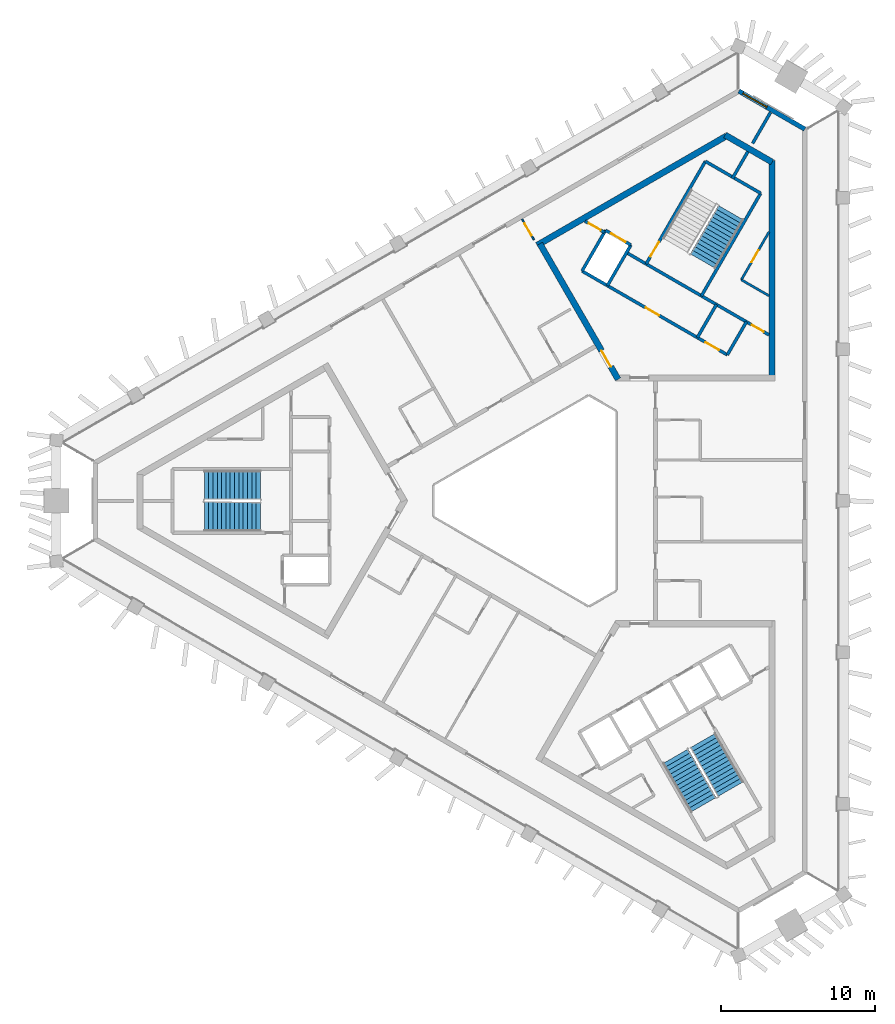
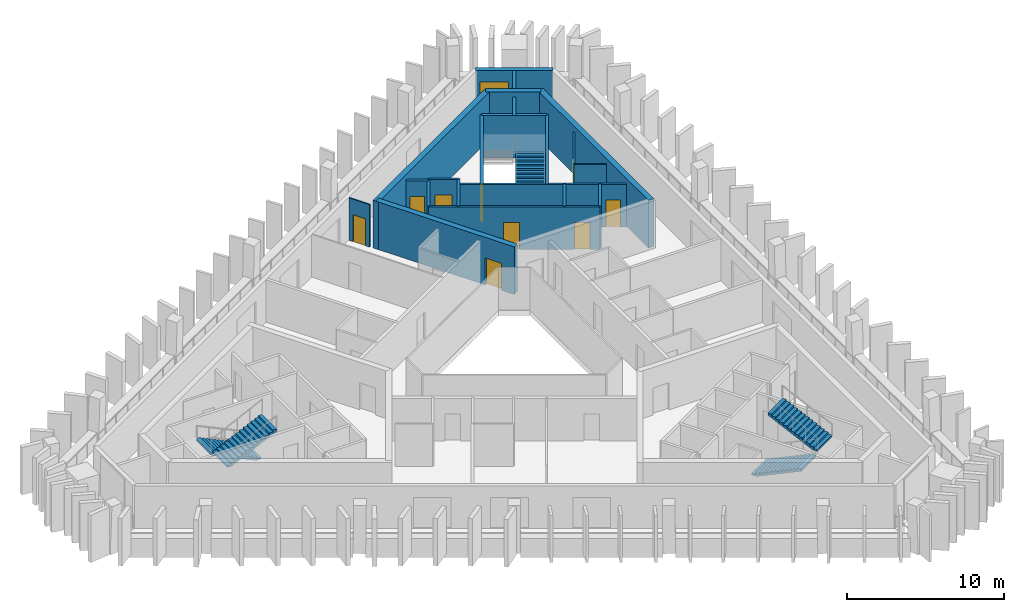
# One storey, part 5 of 9: 21 walls, 9 doors, 5 stair flights, 1 window, 10 openings, 3 elements without a shape of their own.
"""IFC4 building model written with IfcOpenShell, lengths in metres."""

from ifc_helpers import new_model, si_unit, direction, frame, frame_2d, origin, place, context, subcontext, project, spatial, polyline, rectangle, outline, extrude, material, layer, layer_set, type_object, element, fill, aggregate, save


model = new_model("IFC4")

# Units and contexts
model_context = context("Model", 3, precision=1e-05, world=origin(), true_north=direction((0.0, 1.0)))
body_context = subcontext(model_context, "Body", "Model", "MODEL_VIEW")
ifc_project = project(units=[si_unit("LENGTHUNIT", "METRE"), si_unit("AREAUNIT", "SQUARE_METRE"), si_unit("VOLUMEUNIT", "CUBIC_METRE"), si_unit("PLANEANGLEUNIT", "RADIAN"), si_unit("MASSUNIT", "GRAM", prefix="KILO")], contexts=[model_context])

# Site, building, storey
site_placement = place(None, origin())
site = spatial("IfcSite", under=ifc_project, at=site_placement, CompositionType="ELEMENT")
building_placement = place(site_placement, origin())
building = spatial("IfcBuilding", under=site, at=building_placement, Name="Jabali Bay Hotel Tower and Convention Centre", CompositionType="ELEMENT")
storey_placement = place(building_placement, frame((0.0, 0.0, 262.699951171875)))
storey = spatial("IfcBuildingStorey", under=building, at=storey_placement, Name="L64", CompositionType="ELEMENT", Elevation=262.699951171875)

# Wall
ifc_material_1 = material(Name="Concrete C40", Category="concrete")
ifc_layer_1 = layer(ifc_material_1, 0.199951171875)
ifc_layer_set_1 = layer_set([ifc_layer_1], Name="Concrete C40")
wall_type_1 = type_object("IfcWallType", Name="Core partition wall 200", PredefinedType="PARTITIONING", material=ifc_layer_set_1)
wall_1_placement = place(storey_placement, frame((87.090087890625, 100.9404296875, 0.0), z_axis=(0.0, 0.0, 1.0), x_axis=(0.499941815747, 0.866058993873, 0.0)))
element("IfcWall", 1, at=wall_1_placement, inside=storey, type_object=wall_type_1, Name="Core wall 1.4 L64", PredefinedType="PARTITIONING", context=body_context, shape_type="SweptSolid", body=[
    extrude(rectangle(XDim=2.023193359375, YDim=0.199951171875, at=frame_2d((1.01171875, 0.0))), origin(), (0.0, 0.0, 1.0), 3.300048828125),
])

# Wall, opening, door
wall_2_placement = place(storey_placement, frame((78.7802734375, 97.447509765625, 0.0), z_axis=(0.0, 0.0, 1.0), x_axis=(-0.866045896294, 0.499964504253, 0.0)))
wall_2 = element("IfcWall", 2, at=wall_2_placement, inside=storey, type_object=wall_type_1, Name="Core wall 1.10 L64", PredefinedType="PARTITIONING", context=body_context, shape_type="SweptSolid", body=[
    extrude(rectangle(XDim=1.455078125, YDim=0.199951171875, at=frame_2d((0.7275390625, 0.0))), origin(), (0.0, 0.0, 1.0), 3.300048828125),
])
opening_1_placement = place(wall_2_placement, frame((0.277587890625, 0.0, 0.0)))
opening_1 = element("IfcOpeningElement", 3, at=opening_1_placement, cuts=wall_2, Name="Opening D1412", PredefinedType="OPENING", context=body_context, shape_type="SweptSolid", body=[
    extrude(rectangle(XDim=0.89990234375, YDim=2.10009765625, at=frame_2d((0.449951171875, 1.050048828125))), frame((0.0, 0.1103515625, 0.0), z_axis=(0.0, -1.0, 0.0), x_axis=(1.0, 0.0, 0.0)), (0.0, 0.0, 1.0), 0.220947265625),
])
ifc_material_2 = material(Name="Fire-rated steel door", Category="steel")
door_type_1 = type_object("IfcDoorType", Name="Vestibule fire door 900 x 2100", OperationType="NOTDEFINED", PredefinedType="NOTDEFINED", material=ifc_material_2)
door_1_placement = place(opening_1_placement, origin())
door_1 = element("IfcDoor", 4, at=door_1_placement, inside=storey, type_object=door_type_1, Name="Vestibule fire door D1412", OperationType="SINGLE_SWING_LEFT", OverallHeight=2.10009765625, OverallWidth=0.89990234375, PredefinedType="NOTDEFINED", context=body_context, shape_type="SweptSolid", body=[
    extrude(rectangle(XDim=0.89990234375, YDim=2.10009765625, at=frame_2d((0.449951171875, 1.050048828125))), frame((0.0, 0.02490234375, 0.0), z_axis=(0.0, -1.0, 0.0), x_axis=(1.0, 0.0, 0.0)), (0.0, 0.0, 1.0), 0.050048828125),
])
fill(opening_1, door_1)

ifc_material_3 = material(Name="Fire-rated board partition")
ifc_layer_2 = layer(ifc_material_3, 0.14990234375)
ifc_layer_set_2 = layer_set([ifc_layer_2], Name="Fire-rated board partition")
wall_type_2 = type_object("IfcWallType", Name="Core room partition 150", PredefinedType="PARTITIONING", material=ifc_layer_set_2)
wall_3_placement = place(storey_placement, frame((87.680908203125, 94.364013671875, 0.0), z_axis=(0.0, 0.0, 1.0), x_axis=(0.500014173611, 0.866017220491, 0.0)))
wall_3 = element("IfcWall", 5, at=wall_3_placement, inside=storey, type_object=wall_type_2, Name="Core wall 1.1 L64", PredefinedType="PARTITIONING", context=body_context, shape_type="SweptSolid", body=[
    extrude(rectangle(XDim=3.59814453125, YDim=0.14990234375, at=frame_2d((1.799072265625, 0.0))), origin(), (0.0, 0.0, 1.0), 3.300048828125),
])
opening_2_placement = place(wall_3_placement, frame((1.321533203125, 0.0, 0.0)))
opening_2 = element("IfcOpeningElement", 6, at=opening_2_placement, cuts=wall_3, Name="Opening D1415", PredefinedType="OPENING", context=body_context, shape_type="SweptSolid", body=[
    extrude(rectangle(XDim=0.89990234375, YDim=2.10009765625, at=frame_2d((0.449951171875, 1.050048828125))), frame((0.0, 0.08544921875, 0.0), z_axis=(0.0, -1.0, 0.0), x_axis=(1.0, 0.0, 0.0)), (0.0, 0.0, 1.0), 0.1708984375),
])
door_type_2 = type_object("IfcDoorType", Name="Core room door 900 x 2100", OperationType="NOTDEFINED", PredefinedType="NOTDEFINED", material=ifc_material_2)
door_2_placement = place(opening_2_placement, origin())
door_2 = element("IfcDoor", 7, at=door_2_placement, inside=storey, type_object=door_type_2, Name="Core room door D1415", OperationType="SINGLE_SWING_LEFT", OverallHeight=2.10009765625, OverallWidth=0.89990234375, PredefinedType="NOTDEFINED", context=body_context, shape_type="SweptSolid", body=[
    extrude(rectangle(XDim=0.89990234375, YDim=2.10009765625, at=frame_2d((0.449951171875, 1.050048828125))), frame((0.0, 0.02490234375, 0.0), z_axis=(0.0, -1.0, 0.0), x_axis=(1.0, 0.0, 0.0)), (0.0, 0.0, 1.0), 0.050048828125),
])
fill(opening_2, door_2)

# Walls
wall_4_placement = place(storey_placement, frame((89.47998046875, 93.3251953125, 0.0), z_axis=(0.0, 0.0, 1.0), x_axis=(-0.865999660441, 0.500044586128, 0.0)))
element("IfcWall", 8, at=wall_4_placement, inside=storey, type_object=wall_type_2, Name="Core wall 1.12 L64", PredefinedType="PARTITIONING", context=body_context, shape_type="SweptSolid", body=[
    extrude(rectangle(XDim=2.077392578125, YDim=0.14990234375, at=frame_2d((1.03857421875, 0.0))), origin(), (0.0, 0.0, 1.0), 3.300048828125),
])
ifc_layer_3 = layer(ifc_material_1, 0.199951171875)
ifc_layer_set_3 = layer_set([ifc_layer_3], Name="Concrete C40")
wall_type_3 = type_object("IfcWallType", Name="Core stair wall 200", PredefinedType="SOLIDWALL", material=ifc_layer_set_3)
for number, where, z_axis, x_axis, name in (
    (9, (86.769775390625, 89.48583984375, 0.0), (0.0, 0.0, 1.0), (0.499961042966, 0.86604789447, 0.0), "Core wall 1.0 L64"),
    (10, (84.8212890625, 90.61083984375, 0.0), (0.0, 0.0, 1.0), (0.499961042966, 0.86604789447, 0.0), "Core wall 1.2 L64"),
):
    element("IfcWall", number, at=place(storey_placement, frame(where, z_axis=z_axis, x_axis=x_axis)), inside=storey, type_object=wall_type_3, Name=name, PredefinedType="SOLIDWALL", context=body_context, shape_type="SweptSolid", body=[
        extrude(rectangle(XDim=2.480224609375, YDim=0.199951171875, at=frame_2d((1.240234375, 0.0))), origin(), (0.0, 0.0, 1.0), 3.300048828125),
    ])
wall_5_placement = place(storey_placement, frame((85.0869140625, 93.3212890625, 0.0), z_axis=(0.0, 0.0, 1.0), x_axis=(0.500019787375, 0.866013979237, 0.0)))
element("IfcWall", 11, at=wall_5_placement, inside=storey, type_object=wall_type_3, Name="Core wall 1.3 L64", PredefinedType="SOLIDWALL", context=body_context, shape_type="SweptSolid", body=[
    extrude(rectangle(XDim=7.699951171875, YDim=0.199951171875, at=frame_2d((3.85009765625, 0.0))), origin(), (0.0, 0.0, 1.0), 3.300048828125),
])

# Wall, opening, door
wall_6_placement = place(storey_placement, frame((81.492919921875, 95.396240234375, 0.0), z_axis=(0.0, 0.0, 1.0), x_axis=(0.500006057782, 0.866021906294, 0.0)))
wall_6 = element("IfcWall", 12, at=wall_6_placement, inside=storey, type_object=wall_type_3, Name="Core wall 1.5 L64", PredefinedType="SOLIDWALL", context=body_context, shape_type="SweptSolid", body=[
    extrude(rectangle(XDim=7.7001953125, YDim=0.199951171875, at=frame_2d((3.85009765625, 0.0))), origin(), (0.0, 0.0, 1.0), 3.300048828125),
])
opening_3_placement = place(wall_6_placement, frame((0.550048828125, 0.0, 0.0)))
opening_3 = element("IfcOpeningElement", 13, at=opening_3_placement, cuts=wall_6, Name="Opening D1414", PredefinedType="OPENING", context=body_context, shape_type="SweptSolid", body=[
    extrude(rectangle(XDim=1.10009765625, YDim=2.10009765625, at=frame_2d((0.550048828125, 1.050048828125))), frame((0.0, 0.1103515625, 0.0), z_axis=(0.0, -1.0, 0.0), x_axis=(1.0, 0.0, 0.0)), (0.0, 0.0, 1.0), 0.220947265625),
])
door_type_3 = type_object("IfcDoorType", Name="Stair fire door 1100 x 2100", OperationType="NOTDEFINED", PredefinedType="NOTDEFINED", material=ifc_material_2)
door_3_placement = place(opening_3_placement, origin())
door_3 = element("IfcDoor", 14, at=door_3_placement, inside=storey, type_object=door_type_3, Name="Stair fire door D1414", OperationType="SINGLE_SWING_RIGHT", OverallHeight=2.10009765625, OverallWidth=1.10009765625, PredefinedType="NOTDEFINED", context=body_context, shape_type="SweptSolid", body=[
    extrude(rectangle(XDim=1.10009765625, YDim=2.10009765625, at=frame_2d((0.550048828125, 1.050048828125))), frame((0.0, 0.02490234375, 0.0), z_axis=(0.0, -1.0, 0.0), x_axis=(1.0, 0.0, 0.0)), (0.0, 0.0, 1.0), 0.050048828125),
])
fill(opening_3, door_3)

# Walls
for number, where, z_axis, x_axis, name in (
    (15, (78.9755859375, 93.98583984375, 0.0), (0.0, 0.0, 1.0), (0.499944174705, 0.866057632134, 0.0), "Core wall 1.6 L64"),
    (16, (77.330078125, 94.93603515625, 0.0), (0.0, 0.0, 1.0), (0.500038867431, 0.8660029625, 0.0), "Core wall 1.7 L64"),
):
    element("IfcWall", number, at=place(storey_placement, frame(where, z_axis=z_axis, x_axis=x_axis)), inside=storey, type_object=wall_type_3, Name=name, PredefinedType="SOLIDWALL", context=body_context, shape_type="SweptSolid", body=[
        extrude(rectangle(XDim=3.050048828125, YDim=0.199951171875, at=frame_2d((1.52490234375, 0.0))), origin(), (0.0, 0.0, 1.0), 3.300048828125),
    ])

# Wall, openings, doors
wall_7_placement = place(storey_placement, frame((86.769775390625, 89.48583984375, 0.0), z_axis=(0.0, 0.0, 1.0), x_axis=(-0.86601811187, 0.500012629753, 0.0)))
wall_7 = element("IfcWall", 17, at=wall_7_placement, inside=storey, type_object=wall_type_3, Name="Core wall 1.8 L64", PredefinedType="SOLIDWALL", context=body_context, shape_type="SweptSolid", body=[
    extrude(rectangle(XDim=10.900146484375, YDim=0.199951171875, at=frame_2d((5.4501953125, 0.0))), origin(), (0.0, 0.0, 1.0), 3.300048828125),
])
opening_4_placement = place(wall_7_placement, frame((0.625, 0.0, 0.0)))
opening_4 = element("IfcOpeningElement", 18, at=opening_4_placement, cuts=wall_7, Name="Opening D1410", PredefinedType="OPENING", context=body_context, shape_type="SweptSolid", body=[
    extrude(rectangle(XDim=1.0, YDim=2.10009765625, at=frame_2d((0.5, 1.050048828125))), frame((0.0, 0.1103515625, 0.0), z_axis=(0.0, -1.0, 0.0), x_axis=(1.0, 0.0, 0.0)), (0.0, 0.0, 1.0), 0.220947265625),
])
opening_5_placement = place(wall_7_placement, frame((5.125, 0.0, 0.0)))
opening_5 = element("IfcOpeningElement", 19, at=opening_5_placement, cuts=wall_7, Name="Opening D1411", PredefinedType="OPENING", context=body_context, shape_type="SweptSolid", body=[
    extrude(rectangle(XDim=1.0, YDim=2.10009765625, at=frame_2d((0.5, 1.050048828125))), frame((0.0, 0.1103515625, 0.0), z_axis=(0.0, -1.0, 0.0), x_axis=(1.0, 0.0, 0.0)), (0.0, 0.0, 1.0), 0.220947265625),
])
door_type_4 = type_object("IfcDoorType", Name="Core room door 1000 x 2100", OperationType="NOTDEFINED", PredefinedType="NOTDEFINED", material=ifc_material_2)
door_4_placement = place(opening_4_placement, origin())
door_4 = element("IfcDoor", 20, at=door_4_placement, inside=storey, type_object=door_type_4, Name="Core room door D1410", OperationType="SINGLE_SWING_RIGHT", OverallHeight=2.10009765625, OverallWidth=1.0, PredefinedType="NOTDEFINED", context=body_context, shape_type="SweptSolid", body=[
    extrude(rectangle(XDim=1.0, YDim=2.10009765625, at=frame_2d((0.5, 1.050048828125))), frame((0.0, 0.02490234375, 0.0), z_axis=(0.0, -1.0, 0.0), x_axis=(1.0, 0.0, 0.0)), (0.0, 0.0, 1.0), 0.050048828125),
])
fill(opening_4, door_4)
door_5_placement = place(opening_5_placement, origin())
door_5 = element("IfcDoor", 21, at=door_5_placement, inside=storey, type_object=door_type_4, Name="Core room door D1411", OperationType="SINGLE_SWING_RIGHT", OverallHeight=2.10009765625, OverallWidth=1.0, PredefinedType="NOTDEFINED", context=body_context, shape_type="SweptSolid", body=[
    extrude(rectangle(XDim=1.0, YDim=2.10009765625, at=frame_2d((0.5, 1.050048828125))), frame((0.0, 0.02490234375, 0.0), z_axis=(0.0, -1.0, 0.0), x_axis=(1.0, 0.0, 0.0)), (0.0, 0.0, 1.0), 0.050048828125),
])
fill(opening_5, door_5)

# Wall, opening, door
wall_8_placement = place(storey_placement, frame((89.47998046875, 90.784912109375, 0.0), z_axis=(0.0, 0.0, 1.0), x_axis=(-0.866022544512, 0.500004952373, 0.0)))
wall_8 = element("IfcWall", 22, at=wall_8_placement, inside=storey, type_object=wall_type_3, Name="Core wall 1.9 L64", PredefinedType="SOLIDWALL", context=body_context, shape_type="SweptSolid", body=[
    extrude(rectangle(XDim=10.69775390625, YDim=0.199951171875, at=frame_2d((5.348876953125, 0.0))), origin(), (0.0, 0.0, 1.0), 3.300048828125),
])
opening_6_placement = place(wall_8_placement, frame((0.398681640625, 0.0, 0.0)))
opening_6 = element("IfcOpeningElement", 23, at=opening_6_placement, cuts=wall_8, Name="Opening D1413", PredefinedType="OPENING", context=body_context, shape_type="SweptSolid", body=[
    extrude(rectangle(XDim=0.89990234375, YDim=2.10009765625, at=frame_2d((0.449951171875, 1.050048828125))), frame((0.0, 0.1103515625, 0.0), z_axis=(0.0, -1.0, 0.0), x_axis=(1.0, 0.0, 0.0)), (0.0, 0.0, 1.0), 0.220947265625),
])
door_6_placement = place(opening_6_placement, origin())
door_6 = element("IfcDoor", 24, at=door_6_placement, inside=storey, type_object=door_type_1, Name="Vestibule fire door D1413", OperationType="SINGLE_SWING_LEFT", OverallHeight=2.10009765625, OverallWidth=0.89990234375, PredefinedType="NOTDEFINED", context=body_context, shape_type="SweptSolid", body=[
    extrude(rectangle(XDim=0.89990234375, YDim=2.10009765625, at=frame_2d((0.449951171875, 1.050048828125))), frame((0.0, 0.02490234375, 0.0), z_axis=(0.0, -1.0, 0.0), x_axis=(1.0, 0.0, 0.0)), (0.0, 0.0, 1.0), 0.050048828125),
])
fill(opening_6, door_6)

wall_9_placement = place(storey_placement, frame((80.50048828125, 96.62744140625, 0.0), z_axis=(0.0, 0.0, 1.0), x_axis=(-0.86601224135, 0.500022797313, 0.0)))
wall_9 = element("IfcWall", 25, at=wall_9_placement, inside=storey, type_object=wall_type_3, Name="Core wall 1.11 L64", PredefinedType="SOLIDWALL", context=body_context, shape_type="SweptSolid", body=[
    extrude(rectangle(XDim=1.89990234375, YDim=0.199951171875, at=frame_2d((0.949951171875, 0.0))), origin(), (0.0, 0.0, 1.0), 3.300048828125),
])
opening_7_placement = place(wall_9_placement, frame((0.39990234375, 0.0, 0.0)))
opening_7 = element("IfcOpeningElement", 26, at=opening_7_placement, cuts=wall_9, Name="Opening LD10-L64", PredefinedType="OPENING", context=body_context, shape_type="SweptSolid", body=[
    extrude(rectangle(XDim=1.10009765625, YDim=2.10009765625, at=frame_2d((0.550048828125, 1.050048828125))), frame((0.0, 0.1103515625, 0.0), z_axis=(0.0, -1.0, 0.0), x_axis=(1.0, 0.0, 0.0)), (0.0, 0.0, 1.0), 0.220947265625),
])
ifc_material_4 = material(Name="Stainless steel landing door", Category="steel")
door_type_5 = type_object("IfcDoorType", Name="Landing door 1100 x 2100", OperationType="NOTDEFINED", PredefinedType="NOTDEFINED", material=ifc_material_4)
door_7_placement = place(opening_7_placement, origin())
door_7 = element("IfcDoor", 27, at=door_7_placement, inside=storey, type_object=door_type_5, Name="Landing doors LD10-L64", OperationType="SLIDING_TO_RIGHT", OverallHeight=2.10009765625, OverallWidth=1.10009765625, PredefinedType="NOTDEFINED", context=body_context, shape_type="SweptSolid", body=[
    extrude(rectangle(XDim=1.10009765625, YDim=2.10009765625, at=frame_2d((0.550048828125, 1.050048828125))), frame((0.0, 0.02490234375, 0.0), z_axis=(0.0, -1.0, 0.0), x_axis=(1.0, 0.0, 0.0)), (0.0, 0.0, 1.0), 0.050048828125),
])
fill(opening_7, door_7)

# Walls
wall_10_placement = place(storey_placement, frame((88.93701171875, 99.989501953125, 0.0), z_axis=(0.0, 0.0, 1.0), x_axis=(-0.866004344652, 0.500036473714, 0.0)))
element("IfcWall", 28, at=wall_10_placement, inside=storey, type_object=wall_type_3, Name="Core wall 1.13 L64", PredefinedType="SOLIDWALL", context=body_context, shape_type="SweptSolid", body=[
    extrude(rectangle(XDim=4.150146484375, YDim=0.199951171875, at=frame_2d((2.0751953125, 0.0))), origin(), (0.0, 0.0, 1.0), 3.300048828125),
])
ifc_material_5 = material(Name="Concrete C60", Category="concrete")
ifc_layer_4 = layer(ifc_material_5, 0.39990234375)
ifc_layer_set_4 = layer_set([ifc_layer_4], Name="Concrete C60")
wall_type_4 = type_object("IfcWallType", Name="Core wall 400", PredefinedType="SHEAR", material=ifc_layer_set_4)
wall_11_placement = place(storey_placement, frame((89.679931640625, 87.994140625, 0.0), z_axis=(0.0, 0.0, 1.0), x_axis=(0.0, 1.0, 0.0)))
element("IfcWall", 29, at=wall_11_placement, inside=storey, type_object=wall_type_4, Name="Core wall 2.2 L64", PredefinedType="SHEAR", context=body_context, shape_type="SweptSolid", body=[
    extrude(rectangle(XDim=14.133544921875, YDim=0.39990234375, at=frame_2d((7.06689453125, 0.0))), origin(), (0.0, 0.0, 1.0), 3.699951171875),
])
wall_12_placement = place(storey_placement, frame((89.679931640625, 102.01220703125, 0.0), z_axis=(0.0, 0.0, 1.0), x_axis=(-0.866025485263, 0.499999858875, 0.0)))
element("IfcWall", 30, at=wall_12_placement, inside=storey, type_object=wall_type_4, Name="Core wall 2.3 L64", PredefinedType="SHEAR", context=body_context, shape_type="SweptSolid", body=[
    extrude(rectangle(XDim=3.52978515625, YDim=0.39990234375, at=frame_2d((1.764892578125, 0.0))), origin(), (0.0, 0.0, 1.0), 3.699951171875),
])
wall_13_placement = place(storey_placement, frame((86.72314453125, 103.71923828125, 0.0), z_axis=(0.0, 0.0, 1.0), x_axis=(-0.866030317223, -0.499991489579, 0.0)))
element("IfcWall", 31, at=wall_13_placement, inside=storey, type_object=wall_type_4, Name="Core wall 2.4 L64", PredefinedType="SHEAR", context=body_context, shape_type="SweptSolid", body=[
    extrude(rectangle(XDim=14.218017578125, YDim=0.39990234375, at=frame_2d((7.10888671875, 0.0))), origin(), (0.0, 0.0, 1.0), 3.699951171875),
])

# Wall, opening, door
wall_14_placement = place(storey_placement, frame((74.583251953125, 96.71044921875, 0.0), z_axis=(0.0, 0.0, 1.0), x_axis=(0.499987488796, -0.866032627011, 0.0)))
wall_14 = element("IfcWall", 32, at=wall_14_placement, inside=storey, type_object=wall_type_4, Name="Core wall 2.5 L64", PredefinedType="SHEAR", context=body_context, shape_type="SweptSolid", body=[
    extrude(rectangle(XDim=10.179931640625, YDim=0.39990234375, at=frame_2d((5.08984375, 0.0))), origin(), (0.0, 0.0, 1.0), 3.699951171875),
])
opening_8_placement = place(wall_14_placement, frame((8.030029296875, 0.0, 0.0)))
opening_8 = element("IfcOpeningElement", 33, at=opening_8_placement, cuts=wall_14, Name="Opening D1409", PredefinedType="OPENING", context=body_context, shape_type="SweptSolid", body=[
    extrude(rectangle(XDim=1.199951171875, YDim=2.10009765625, at=frame_2d((0.60009765625, 1.050048828125))), frame((0.0, 0.21044921875, 0.0), z_axis=(0.0, -1.0, 0.0), x_axis=(1.0, 0.0, 0.0)), (0.0, 0.0, 1.0), 0.4208984375),
])
door_type_6 = type_object("IfcDoorType", Name="Corridor end fire door 1200 x 2100", OperationType="NOTDEFINED", PredefinedType="NOTDEFINED", material=ifc_material_2)
door_8_placement = place(opening_8_placement, origin())
door_8 = element("IfcDoor", 34, at=door_8_placement, inside=storey, type_object=door_type_6, Name="Corridor end fire door D1409", OperationType="SINGLE_SWING_LEFT", OverallHeight=2.10009765625, OverallWidth=1.199951171875, PredefinedType="NOTDEFINED", context=body_context, shape_type="SweptSolid", body=[
    extrude(rectangle(XDim=1.199951171875, YDim=2.10009765625, at=frame_2d((0.60009765625, 1.050048828125))), frame((0.0, 0.02490234375, 0.0), z_axis=(0.0, -1.0, 0.0), x_axis=(1.0, 0.0, 0.0)), (0.0, 0.0, 1.0), 0.050048828125),
])
fill(opening_8, door_8)

# Wall, opening, window
ifc_layer_5 = layer(ifc_material_1, 0.300048828125)
ifc_layer_set_5 = layer_set([ifc_layer_5], Name="Concrete C40")
wall_type_5 = type_object("IfcWallType", Name="External wall 300", PredefinedType="SOLIDWALL", material=ifc_layer_set_5)
wall_15_placement = place(storey_placement, frame((87.521484375, 106.630615234375, 0.0), z_axis=(0.0, 0.0, 1.0), x_axis=(0.866039996209, -0.499974724327, 0.0)))
wall_15 = element("IfcWall", 35, at=wall_15_placement, inside=storey, type_object=wall_type_5, Name="External wall north-east chamfer L64", PredefinedType="SOLIDWALL", context=body_context, shape_type="SweptSolid", body=[
    extrude(rectangle(XDim=4.942626953125, YDim=0.300048828125, at=frame_2d((2.47119140625, 0.0))), origin(), (0.0, 0.0, 1.0), 3.300048828125),
])
opening_9_placement = place(wall_15_placement, frame((0.292236328125, 0.0, 0.89990234375)))
opening_9 = element("IfcOpeningElement", 36, at=opening_9_placement, cuts=wall_15, Name="Opening W1", PredefinedType="OPENING", context=body_context, shape_type="SweptSolid", body=[
    extrude(rectangle(XDim=1.800048828125, YDim=1.5, at=frame_2d((0.89990234375, 0.75))), frame((0.0, 0.16064453125, 0.0), z_axis=(0.0, -1.0, 0.0), x_axis=(1.0, 0.0, 0.0)), (0.0, 0.0, 1.0), 0.321044921875),
])
ifc_material_6 = material(Name="Glass", Category="glass")
window_type = type_object("IfcWindowType", Name="Window 1800 x 1500", PartitioningType="SINGLE_PANEL", PredefinedType="WINDOW", material=ifc_material_6)
window_placement = place(opening_9_placement, origin())
window = element("IfcWindow", 37, at=window_placement, inside=storey, type_object=window_type, Name="Window", OverallHeight=1.5, OverallWidth=1.800048828125, PartitioningType="SINGLE_PANEL", PredefinedType="WINDOW", context=body_context, shape_type="SweptSolid", body=[
    extrude(rectangle(XDim=1.800048828125, YDim=1.5, at=frame_2d((0.89990234375, 0.75))), frame((0.0, 0.030029296875, 0.0), z_axis=(0.0, -1.0, 0.0), x_axis=(1.0, 0.0, 0.0)), (0.0, 0.0, 1.0), 0.06005859375),
])
fill(opening_9, window)

# Wall, opening, door
ifc_material_7 = material(Name="Plasterboard on steel stud", Category="steel")
ifc_layer_6 = layer(ifc_material_7, 0.10009765625)
ifc_layer_set_6 = layer_set([ifc_layer_6], Name="Plasterboard on steel stud")
wall_type_6 = type_object("IfcWallType", Name="Partition 100 unit", PredefinedType="PARTITIONING", material=ifc_layer_set_6)
wall_16_placement = place(storey_placement, frame((74.199951171875, 96.97412109375, 0.0), z_axis=(0.0, 0.0, 1.0), x_axis=(-0.499961586444, 0.866047580726, 0.0)))
wall_16 = element("IfcWall", 38, at=wall_16_placement, inside=storey, type_object=wall_type_6, Name="Partition P02 L64 016", PredefinedType="PARTITIONING", context=body_context, shape_type="SweptSolid", body=[
    extrude(rectangle(XDim=1.53173828125, YDim=0.10009765625, at=frame_2d((0.765869140625, 0.0))), origin(), (0.0, 0.0, 1.0), 3.300048828125),
])
opening_10_placement = place(wall_16_placement, frame((0.31591796875, 0.0, 0.0)))
opening_10 = element("IfcOpeningElement", 39, at=opening_10_placement, cuts=wall_16, Name="Opening 6417", PredefinedType="OPENING", context=body_context, shape_type="SweptSolid", body=[
    extrude(rectangle(XDim=0.89990234375, YDim=2.10009765625, at=frame_2d((0.449951171875, 1.050048828125))), frame((0.0, 0.060546875, 0.0), z_axis=(0.0, -1.0, 0.0), x_axis=(1.0, 0.0, 0.0)), (0.0, 0.0, 1.0), 0.12109375),
])
ifc_material_8 = material(Name="Timber", Category="wood")
door_type_7 = type_object("IfcDoorType", Name="Internal door 900 x 2100", OperationType="NOTDEFINED", PredefinedType="NOTDEFINED", material=ifc_material_8)
door_9_placement = place(opening_10_placement, origin())
door_9 = element("IfcDoor", 40, at=door_9_placement, inside=storey, type_object=door_type_7, Name="Door 6417", OperationType="SINGLE_SWING_LEFT", OverallHeight=2.10009765625, OverallWidth=0.89990234375, PredefinedType="NOTDEFINED", context=body_context, shape_type="SweptSolid", body=[
    extrude(rectangle(XDim=0.89990234375, YDim=2.10009765625, at=frame_2d((0.449951171875, 1.050048828125))), frame((0.0, 0.02490234375, 0.0), z_axis=(0.0, -1.0, 0.0), x_axis=(1.0, 0.0, 0.0)), (0.0, 0.0, 1.0), 0.050048828125),
])
fill(opening_10, door_9)

# Wall
ifc_layer_7 = layer(ifc_material_7, 0.199951171875)
ifc_layer_set_7 = layer_set([ifc_layer_7], Name="Plasterboard on steel stud")
wall_type_7 = type_object("IfcWallType", Name="Partition 200 party", PredefinedType="PARTITIONING", material=ifc_layer_set_7)
wall_17_placement = place(storey_placement, frame((89.576904296875, 105.247802734375, 0.0), z_axis=(0.0, 0.0, 1.0), x_axis=(-0.500003561037, -0.866023347809, 0.0)))
element("IfcWall", 41, at=wall_17_placement, inside=storey, type_object=wall_type_7, Name="Partition P01 L64 012", PredefinedType="PARTITIONING", context=body_context, shape_type="SweptSolid", body=[
    extrude(rectangle(XDim=2.33056640625, YDim=0.199951171875, at=frame_2d((1.165283203125, 0.0))), origin(), (0.0, 0.0, 1.0), 3.300048828125),
])

# Stair, stair flights
stair_type = type_object("IfcStairType", Name="Exit stair 1900", PredefinedType="HALF_TURN_STAIR", material=ifc_material_1)
stair_1_placement = place(storey_placement, origin())
stair_1 = element("IfcStair", 42, at=stair_1_placement, inside=storey, type_object=stair_type, Name="L64 Exit Stair 1", PredefinedType="HALF_TURN_STAIR")
stair_flight_type = type_object("IfcStairFlightType", Name="Stair flight concrete 150", PredefinedType="STRAIGHT", material=ifc_material_1)
stair_flight_1_placement = place(storey_placement, frame((56.419921875, 81.02490234375, 0.0), z_axis=(0.0, 0.0, 1.0), x_axis=(-1.0, 0.0, 0.0)))
stair_flight_1 = element("IfcStairFlight", 43, at=stair_flight_1_placement, type_object=stair_flight_type, Name="ST1 flight 1", NumberOfRisers=14, NumberOfTreads=13, PredefinedType="STRAIGHT", RiserHeight=0.132142857, TreadLength=0.28, context=body_context, shape_type="SweptSolid", body=[
    extrude(outline(polyline([(0.0, 0.0), (0.0, 0.132080078125), (0.280029296875, 0.132080078125), (0.280029296875, 0.264404296875), (0.56005859375, 0.264404296875), (0.56005859375, 0.396484375), (0.840087890625, 0.396484375), (0.840087890625, 0.528564453125), (1.1201171875, 0.528564453125), (1.1201171875, 0.66064453125), (1.39990234375, 0.66064453125), (1.39990234375, 0.79296875), (1.679931640625, 0.79296875), (1.679931640625, 0.925048828125), (1.9599609375, 0.925048828125), (1.9599609375, 1.05712890625), (2.239990234375, 1.05712890625), (2.239990234375, 1.189208984375), (2.52001953125, 1.189208984375), (2.52001953125, 1.321533203125), (2.800048828125, 1.321533203125), (2.800048828125, 1.45361328125), (3.080078125, 1.45361328125), (3.080078125, 1.585693359375), (3.360107421875, 1.585693359375), (3.360107421875, 1.7177734375), (3.639892578125, 1.7177734375), (3.639892578125, 1.85009765625), (3.639892578125, 1.552001953125), (0.351318359375, 0.0), (0.0, 0.0)])), frame((0.0, 0.949951171875, 0.0), z_axis=(0.0, -1.0, 0.0), x_axis=(1.0, 0.0, 0.0)), (0.0, 0.0, 1.0), 1.89990234375),
])
stair_flight_2_placement = place(storey_placement, frame((52.780029296875, 78.97509765625, 1.85009765625), z_axis=(0.0, 0.0, 1.0), x_axis=(1.0, 0.0, 0.0)))
stair_flight_2 = element("IfcStairFlight", 44, at=stair_flight_2_placement, type_object=stair_flight_type, Name="ST1 flight 2", NumberOfRisers=14, NumberOfTreads=13, PredefinedType="STRAIGHT", RiserHeight=0.132142857, TreadLength=0.28, context=body_context, shape_type="SweptSolid", body=[
    extrude(outline(polyline([(0.0, 0.0), (0.0, 0.132080078125), (0.280029296875, 0.132080078125), (0.280029296875, 0.264404296875), (0.56005859375, 0.264404296875), (0.56005859375, 0.396484375), (0.840087890625, 0.396484375), (0.840087890625, 0.528564453125), (1.1201171875, 0.528564453125), (1.1201171875, 0.66064453125), (1.39990234375, 0.66064453125), (1.39990234375, 0.79296875), (1.679931640625, 0.79296875), (1.679931640625, 0.925048828125), (1.9599609375, 0.925048828125), (1.9599609375, 1.05712890625), (2.239990234375, 1.05712890625), (2.239990234375, 1.189208984375), (2.52001953125, 1.189208984375), (2.52001953125, 1.321533203125), (2.800048828125, 1.321533203125), (2.800048828125, 1.45361328125), (3.080078125, 1.45361328125), (3.080078125, 1.585693359375), (3.360107421875, 1.585693359375), (3.360107421875, 1.7177734375), (3.639892578125, 1.7177734375), (3.639892578125, 1.85009765625), (3.639892578125, 1.552001953125), (0.351318359375, 0.0), (0.0, 0.0)])), frame((0.0, 0.949951171875, 0.0), z_axis=(0.0, -1.0, 0.0), x_axis=(1.0, 0.0, 0.0)), (0.0, 0.0, 1.0), 1.89990234375),
])
aggregate(stair_1, [stair_flight_1, stair_flight_2])

# Stair, stair flight
stair_2_placement = place(storey_placement, origin())
stair_2 = element("IfcStair", 45, at=stair_2_placement, inside=storey, type_object=stair_type, Name="L64 Exit Stair 2", PredefinedType="HALF_TURN_STAIR")
stair_flight_3_placement = place(storey_placement, frame((85.177734375, 95.578369140625, 0.0), z_axis=(0.0, 0.0, 1.0), x_axis=(0.5, 0.866025403784, 0.0)))
stair_flight_3 = element("IfcStairFlight", 46, at=stair_flight_3_placement, type_object=stair_flight_type, Name="ST2 flight 1", NumberOfRisers=14, NumberOfTreads=13, PredefinedType="STRAIGHT", RiserHeight=0.132142857, TreadLength=0.28, context=body_context, shape_type="SweptSolid", body=[
    extrude(outline(polyline([(0.0, 0.0), (0.0, 0.132080078125), (0.280029296875, 0.132080078125), (0.280029296875, 0.264404296875), (0.56005859375, 0.264404296875), (0.56005859375, 0.396484375), (0.840087890625, 0.396484375), (0.840087890625, 0.528564453125), (1.1201171875, 0.528564453125), (1.1201171875, 0.66064453125), (1.39990234375, 0.66064453125), (1.39990234375, 0.79296875), (1.679931640625, 0.79296875), (1.679931640625, 0.925048828125), (1.9599609375, 0.925048828125), (1.9599609375, 1.05712890625), (2.239990234375, 1.05712890625), (2.239990234375, 1.189208984375), (2.52001953125, 1.189208984375), (2.52001953125, 1.321533203125), (2.800048828125, 1.321533203125), (2.800048828125, 1.45361328125), (3.080078125, 1.45361328125), (3.080078125, 1.585693359375), (3.360107421875, 1.585693359375), (3.360107421875, 1.7177734375), (3.639892578125, 1.7177734375), (3.639892578125, 1.85009765625), (3.639892578125, 1.552001953125), (0.351318359375, 0.0), (0.0, 0.0)])), frame((0.0, 0.949951171875, 0.0), z_axis=(0.0, -1.0, 0.0), x_axis=(1.0, 0.0, 0.0)), (0.0, 0.0, 1.0), 1.89990234375),
])
aggregate(stair_2, [stair_flight_3])

# Stair, stair flights
stair_3_placement = place(storey_placement, origin())
stair_3 = element("IfcStair", 47, at=stair_3_placement, inside=storey, type_object=stair_type, Name="L64 Exit Stair 3", PredefinedType="HALF_TURN_STAIR")
stair_flight_4_placement = place(storey_placement, frame((83.40234375, 63.396728515625, 0.0), z_axis=(0.0, 0.0, 1.0), x_axis=(0.5, -0.866025403784, 0.0)))
stair_flight_4 = element("IfcStairFlight", 48, at=stair_flight_4_placement, type_object=stair_flight_type, Name="ST3 flight 1", NumberOfRisers=14, NumberOfTreads=13, PredefinedType="STRAIGHT", RiserHeight=0.132142857, TreadLength=0.28, context=body_context, shape_type="SweptSolid", body=[
    extrude(outline(polyline([(0.0, 0.0), (0.0, 0.132080078125), (0.280029296875, 0.132080078125), (0.280029296875, 0.264404296875), (0.56005859375, 0.264404296875), (0.56005859375, 0.396484375), (0.840087890625, 0.396484375), (0.840087890625, 0.528564453125), (1.1201171875, 0.528564453125), (1.1201171875, 0.66064453125), (1.39990234375, 0.66064453125), (1.39990234375, 0.79296875), (1.679931640625, 0.79296875), (1.679931640625, 0.925048828125), (1.9599609375, 0.925048828125), (1.9599609375, 1.05712890625), (2.239990234375, 1.05712890625), (2.239990234375, 1.189208984375), (2.52001953125, 1.189208984375), (2.52001953125, 1.321533203125), (2.800048828125, 1.321533203125), (2.800048828125, 1.45361328125), (3.080078125, 1.45361328125), (3.080078125, 1.585693359375), (3.360107421875, 1.585693359375), (3.360107421875, 1.7177734375), (3.639892578125, 1.7177734375), (3.639892578125, 1.85009765625), (3.639892578125, 1.552001953125), (0.351318359375, 0.0), (0.0, 0.0)])), frame((0.0, 0.949951171875, 0.0), z_axis=(0.0, -1.0, 0.0), x_axis=(1.0, 0.0, 0.0)), (0.0, 0.0, 1.0), 1.89990234375),
])
stair_flight_5_placement = place(storey_placement, frame((86.99755859375, 61.26953125, 1.85009765625), z_axis=(0.0, 0.0, 1.0), x_axis=(-0.5, 0.866025403784, 0.0)))
stair_flight_5 = element("IfcStairFlight", 49, at=stair_flight_5_placement, type_object=stair_flight_type, Name="ST3 flight 2", NumberOfRisers=14, NumberOfTreads=13, PredefinedType="STRAIGHT", RiserHeight=0.132142857, TreadLength=0.28, context=body_context, shape_type="SweptSolid", body=[
    extrude(outline(polyline([(0.0, 0.0), (0.0, 0.132080078125), (0.280029296875, 0.132080078125), (0.280029296875, 0.264404296875), (0.56005859375, 0.264404296875), (0.56005859375, 0.396484375), (0.840087890625, 0.396484375), (0.840087890625, 0.528564453125), (1.1201171875, 0.528564453125), (1.1201171875, 0.66064453125), (1.39990234375, 0.66064453125), (1.39990234375, 0.79296875), (1.679931640625, 0.79296875), (1.679931640625, 0.925048828125), (1.9599609375, 0.925048828125), (1.9599609375, 1.05712890625), (2.239990234375, 1.05712890625), (2.239990234375, 1.189208984375), (2.52001953125, 1.189208984375), (2.52001953125, 1.321533203125), (2.800048828125, 1.321533203125), (2.800048828125, 1.45361328125), (3.080078125, 1.45361328125), (3.080078125, 1.585693359375), (3.360107421875, 1.585693359375), (3.360107421875, 1.7177734375), (3.639892578125, 1.7177734375), (3.639892578125, 1.85009765625), (3.639892578125, 1.552001953125), (0.351318359375, 0.0), (0.0, 0.0)])), frame((0.0, 0.949951171875, 0.0), z_axis=(0.0, -1.0, 0.0), x_axis=(1.0, 0.0, 0.0)), (0.0, 0.0, 1.0), 1.89990234375),
])
aggregate(stair_3, [stair_flight_4, stair_flight_5])

save(model, "model.ifc")
